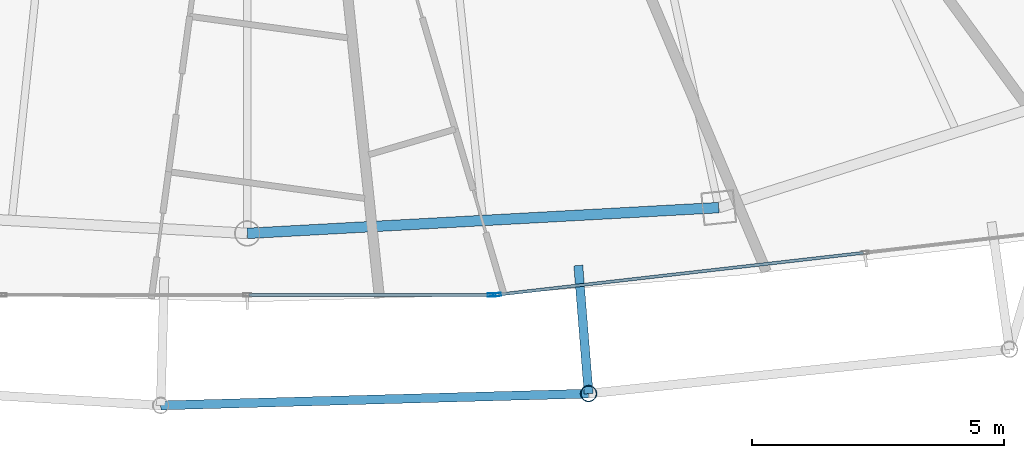
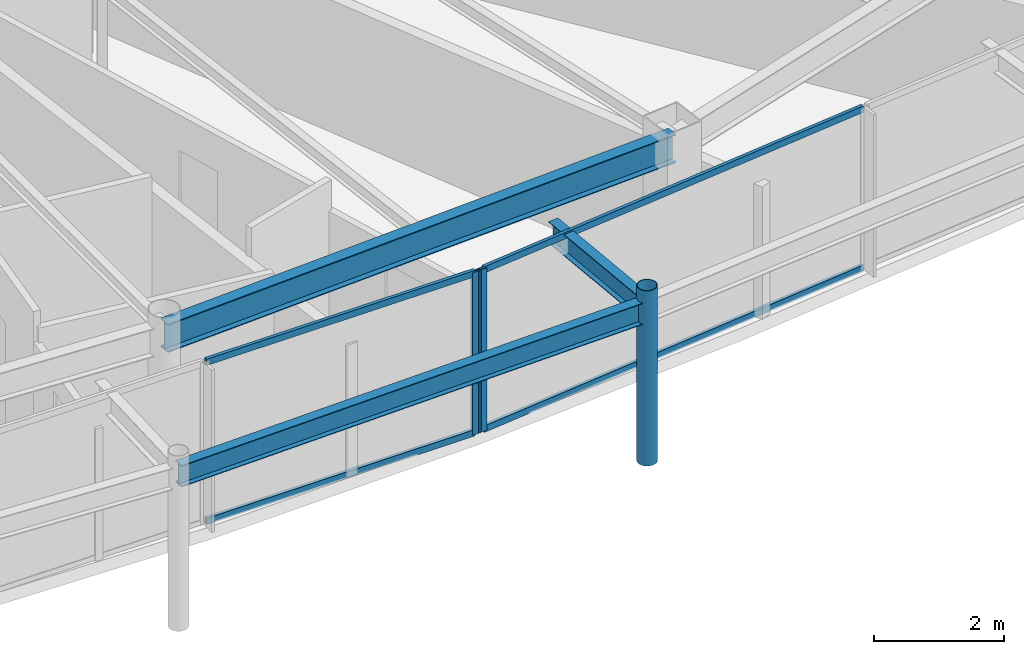
# One storey, part 8 of 28: 7 members, 3 beams, 2 elements without a shape of their own.
"""IFC4 building model written with IfcOpenShell, lengths in metres."""

from ifc_helpers import new_model, si_unit, direction, frame, origin, origin_2d, place, context, subcontext, project, spatial, hollow_rectangle, hollow_circle, i_section, extrude, material, layer, layer_set, material_profile, profile_set, type_object, element, aggregate, save


model = new_model("IFC4")

# Units and contexts
model_context = context("Model", 3, precision=1e-05, world=origin(), true_north=direction((0.0, 1.0)))
body_context = subcontext(model_context, "Body", "Model", "MODEL_VIEW")
ifc_project = project(units=[si_unit("LENGTHUNIT", "METRE"), si_unit("AREAUNIT", "SQUARE_METRE"), si_unit("VOLUMEUNIT", "CUBIC_METRE"), si_unit("PLANEANGLEUNIT", "RADIAN"), si_unit("MASSUNIT", "GRAM", prefix="KILO")], contexts=[model_context])

# Site, building, storey
site_placement = place(None, origin())
site = spatial("IfcSite", under=ifc_project, at=site_placement, CompositionType="ELEMENT")
building_placement = place(site_placement, origin())
building = spatial("IfcBuilding", under=site, at=building_placement, Name="Orvanel Arch Residences", CompositionType="ELEMENT")
storey_placement = place(building_placement, frame((0.0, 0.0, 260.14990234375)))
storey = spatial("IfcBuildingStorey", under=building, at=storey_placement, Name="L74", CompositionType="ELEMENT", Elevation=260.14990234375)

# Curtain wall, member
ifc_material_1 = material(Name="Bronze-anodised aluminium AA6063-T6", Category="aluminium")
ifc_layer = layer(ifc_material_1, 0.175048828125)
ifc_layer_set = layer_set([ifc_layer], Name="Bronze-anodised aluminium AA6063-T6")
curtain_wall_type = type_object("IfcCurtainWallType", Name="CW4-HI-SYS", PredefinedType="NOTDEFINED", material=ifc_layer_set)
curtain_wall_1_placement = place(storey_placement, origin())
curtain_wall_1 = element("IfcCurtainWall", 1, at=curtain_wall_1_placement, inside=storey, type_object=curtain_wall_type, Name="L74 CW4-HI-SYS Unitised Curtain Wall", PredefinedType="NOTDEFINED")
ifc_material_profile_1 = material_profile(ifc_material_1, hollow_rectangle(XDim=0.06494140625, YDim=0.159912109375, WallThickness=0.00390625, at=origin_2d()), Name="ALU160x65x4")
ifc_profile_set_1 = profile_set([ifc_material_profile_1], Name="Bronze-anodised aluminium AA6063-T6")
member_type_1 = type_object("IfcMemberType", Name="MUL-160x65", PredefinedType="MULLION", material=ifc_profile_set_1)
member_1_placement = place(storey_placement, frame((37.848388671875, 5.6220703125, 0.0), z_axis=(0.0, 0.0, 1.0), x_axis=(0.0, 1.0, 0.0)))
member_1 = element("IfcMember", 2, at=member_1_placement, type_object=member_type_1, Name="CW-S4 mullion 3", PredefinedType="MULLION", context=body_context, shape_type="SweptSolid", body=[
    extrude(hollow_rectangle(XDim=0.06494140625, YDim=0.159912109375, WallThickness=0.00390625, at=origin_2d()), origin(), (0.0, 0.0, 1.0), 3.06005859375),
])

curtain_wall_2_placement = place(storey_placement, origin())
curtain_wall_2 = element("IfcCurtainWall", 3, at=curtain_wall_2_placement, inside=storey, type_object=curtain_wall_type, Name="L74 CW4-HI-SYS Unitised Curtain Wall", PredefinedType="NOTDEFINED")
member_2_placement = place(storey_placement, frame((37.953369140625, 5.627685546875, 0.0), z_axis=(0.0, 0.0, 1.0), x_axis=(-0.113510277415, 0.993536822126, 0.0)))
member_2 = element("IfcMember", 4, at=member_2_placement, type_object=member_type_1, Name="CW-S4 mullion 1", PredefinedType="MULLION", context=body_context, shape_type="SweptSolid", body=[
    extrude(hollow_rectangle(XDim=0.06494140625, YDim=0.159912109375, WallThickness=0.00390625, at=origin_2d()), origin(), (0.0, 0.0, 1.0), 3.06005859375),
])

# Beams
ifc_material_2 = material(Name="Structural steel AS/NZS 3679.1 Grade 300 (300 MPa)", Category="steel")
ifc_material_profile_2 = material_profile(ifc_material_2, i_section(OverallWidth=0.177978515625, OverallDepth=0.406005859375, WebThickness=0.0078125, FlangeThickness=0.0126953125, at=origin_2d()), Name="410UB59.7")
ifc_profile_set_2 = profile_set([ifc_material_profile_2], Name="Structural steel AS/NZS 3679.1 Grade 300 (300 MPa)")
beam_type_1 = type_object("IfcBeamType", Name="OB-410UB-EXT", PredefinedType="SPANDREL", material=ifc_profile_set_2)
beam_1_placement = place(storey_placement, frame((31.281005859375, 3.430908203125, 2.857177734375), z_axis=(0.999619963496, 0.027566802156, 0.0), x_axis=(-0.027566802156, 0.999619963496, 0.0)))
element("IfcBeam", 5, at=beam_1_placement, inside=storey, type_object=beam_type_1, Name="L74 Outer Perimeter Floor Ring Beam 06", PredefinedType="SPANDREL", context=body_context, shape_type="SweptSolid", body=[
    extrude(i_section(OverallWidth=0.177978515625, OverallDepth=0.406005859375, WebThickness=0.0078125, FlangeThickness=0.0126953125, at=origin_2d()), origin(), (0.0, 0.0, 1.0), 8.4931640625),
])
beam_2_placement = place(storey_placement, frame((39.56591796875, 6.20703125, 2.857177734375), z_axis=(0.080414871626, -0.996761480205, 0.0), x_axis=(0.996761480205, 0.080414871626, 0.0)))
element("IfcBeam", 6, at=beam_2_placement, inside=storey, type_object=beam_type_1, Name="L74 Outer Frame Radial Tie Beam 07", PredefinedType="SPANDREL", context=body_context, shape_type="SweptSolid", body=[
    extrude(i_section(OverallWidth=0.177978515625, OverallDepth=0.406005859375, WebThickness=0.0078125, FlangeThickness=0.0126953125, at=origin_2d()), origin(), (0.0, 0.0, 1.0), 2.55029296875),
])
ifc_material_profile_3 = material_profile(ifc_material_2, i_section(OverallWidth=0.208984375, OverallDepth=0.532958984375, WebThickness=0.01025390625, FlangeThickness=0.015625, at=origin_2d()), Name="530UB92.4")
ifc_profile_set_3 = profile_set([ifc_material_profile_3], Name="Structural steel AS/NZS 3679.1 Grade 300 (300 MPa)")
beam_type_2 = type_object("IfcBeamType", Name="SP-530UB", PredefinedType="SPANDREL", material=ifc_profile_set_3)
beam_3_placement = place(storey_placement, frame((33.0, 6.843994140625, 2.793212890625), z_axis=(0.998510315598, 0.054563262768, 0.0), x_axis=(-0.054563262768, 0.998510315598, 0.0)))
element("IfcBeam", 7, at=beam_3_placement, inside=storey, type_object=beam_type_2, Name="L74 Perimeter Spandrel Beam 04", PredefinedType="SPANDREL", context=body_context, shape_type="SweptSolid", body=[
    extrude(i_section(OverallWidth=0.208984375, OverallDepth=0.532958984375, WebThickness=0.01025390625, FlangeThickness=0.015625, at=origin_2d()), origin(), (0.0, 0.0, 1.0), 9.364990234375),
])

# Member
ifc_material_3 = material(Name="Structural steel AS/NZS 1163 C350L0 (Grade 350)", Category="steel")
ifc_material_profile_4 = material_profile(ifc_material_3, hollow_circle(Radius=0.162109375, WallThickness=0.0126953125, at=origin_2d()), Name="CHS324x12.7")
ifc_profile_set_4 = profile_set([ifc_material_profile_4], Name="Structural steel AS/NZS 1163 C350L0 (Grade 350)")
member_type_2 = type_object("IfcMemberType", Name="ST-324CHS-EXT", PredefinedType="STRUT", material=ifc_profile_set_4)
member_3_placement = place(storey_placement, frame((39.77099609375, 3.6650390625, 0.0), z_axis=(0.0, 0.0, 1.0), x_axis=(1.0, 0.0, 0.0)))
element("IfcMember", 8, at=member_3_placement, inside=storey, type_object=member_type_2, Name="L74 Outer Perimeter Frame Post 07", PredefinedType="STRUT", context=body_context, shape_type="SweptSolid", body=[
    extrude(hollow_circle(Radius=0.162109375, WallThickness=0.0126953125, at=origin_2d()), origin(), (0.0, 0.0, 1.0), 3.300048828125),
])

ifc_material_profile_5 = material_profile(ifc_material_1, hollow_rectangle(XDim=0.06005859375, YDim=0.1201171875, WallThickness=0.00341796875, at=origin_2d()), Name="ALU120x60x3.5")
ifc_profile_set_5 = profile_set([ifc_material_profile_5], Name="Bronze-anodised aluminium AA6063-T6")
member_type_3 = type_object("IfcMemberType", Name="TRN-120x60", PredefinedType="USERDEFINED", material=ifc_profile_set_5)
member_4_placement = place(storey_placement, frame((33.032470703125, 5.6220703125, 0.030029296875), z_axis=(1.0, 0.0, 0.0), x_axis=(0.0, 1.0, 0.0)))
member_4 = element("IfcMember", 9, at=member_4_placement, type_object=member_type_3, Name="CW-S4 transom 2.1", ObjectType="TRANSOM", PredefinedType="USERDEFINED", context=body_context, shape_type="SweptSolid", body=[
    extrude(hollow_rectangle(XDim=0.06005859375, YDim=0.1201171875, WallThickness=0.00341796875, at=origin_2d()), origin(), (0.0, 0.0, 1.0), 4.783447265625),
])

member_5_placement = place(storey_placement, frame((33.032470703125, 5.6220703125, 3.030029296875), z_axis=(1.0, 0.0, 0.0), x_axis=(0.0, 1.0, 0.0)))
member_5 = element("IfcMember", 10, at=member_5_placement, type_object=member_type_3, Name="CW-S4 transom 2.2", ObjectType="TRANSOM", PredefinedType="USERDEFINED", context=body_context, shape_type="SweptSolid", body=[
    extrude(hollow_rectangle(XDim=0.06005859375, YDim=0.1201171875, WallThickness=0.00341796875, at=origin_2d()), origin(), (0.0, 0.0, 1.0), 4.783447265625),
])

aggregate(curtain_wall_1, [member_1, member_4, member_5])

member_6_placement = place(storey_placement, frame((37.985595703125, 5.63134765625, 0.030029296875), z_axis=(0.993537103282, 0.113507816484, 0.0), x_axis=(-0.113507816484, 0.993537103282, 0.0)))
member_6 = element("IfcMember", 11, at=member_6_placement, type_object=member_type_3, Name="CW-S4 transom 1.1", ObjectType="TRANSOM", PredefinedType="USERDEFINED", context=body_context, shape_type="SweptSolid", body=[
    extrude(hollow_rectangle(XDim=0.06005859375, YDim=0.1201171875, WallThickness=0.00341796875, at=origin_2d()), origin(), (0.0, 0.0, 1.0), 7.28076171875),
])

member_7_placement = place(storey_placement, frame((37.985595703125, 5.63134765625, 3.030029296875), z_axis=(0.993537103282, 0.113507816484, 0.0), x_axis=(-0.113507816484, 0.993537103282, 0.0)))
member_7 = element("IfcMember", 12, at=member_7_placement, type_object=member_type_3, Name="CW-S4 transom 1.2", ObjectType="TRANSOM", PredefinedType="USERDEFINED", context=body_context, shape_type="SweptSolid", body=[
    extrude(hollow_rectangle(XDim=0.06005859375, YDim=0.1201171875, WallThickness=0.00341796875, at=origin_2d()), origin(), (0.0, 0.0, 1.0), 7.28076171875),
])

aggregate(curtain_wall_2, [member_2, member_6, member_7])

save(model, "model.ifc")
